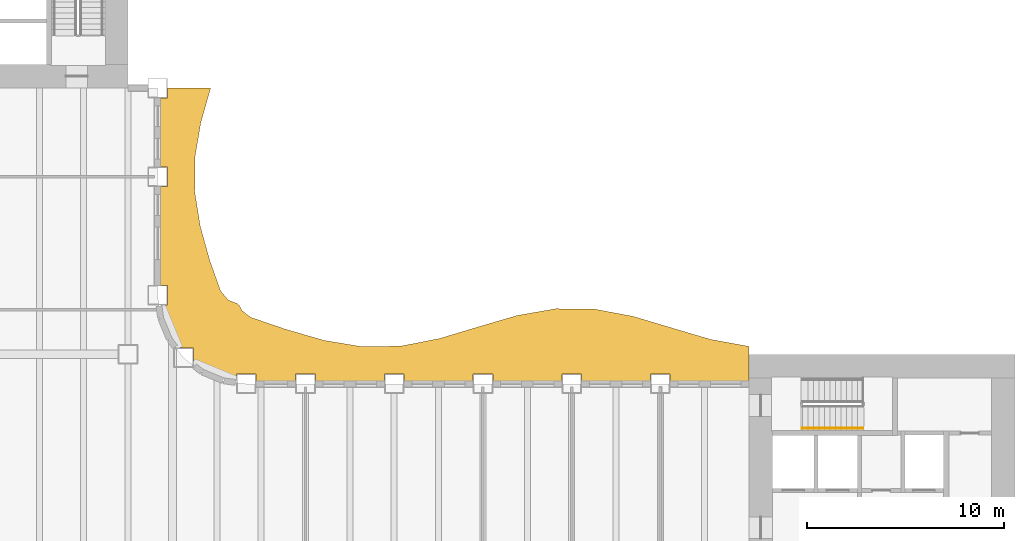
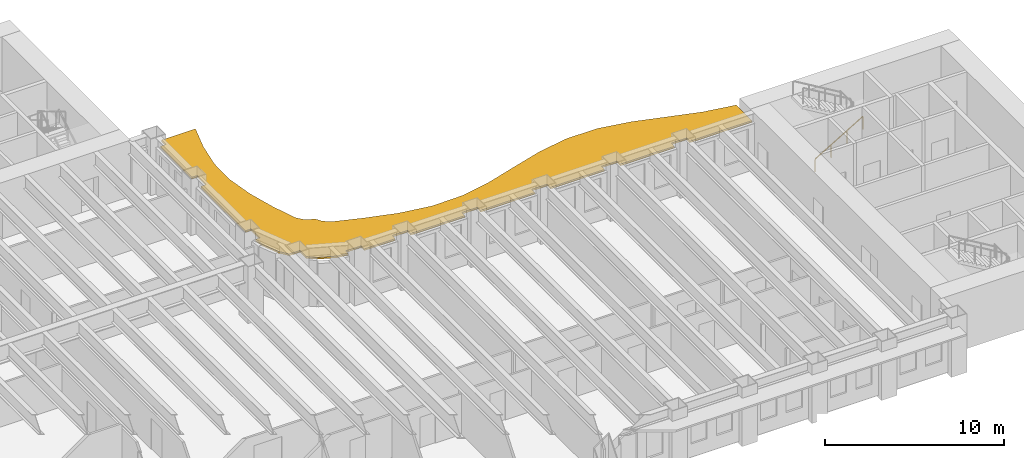
# One storey, part 14 of 16: 1 railing, 1 shading device.
"""IFC4 building model written with IfcOpenShell, lengths in metres."""

from ifc_helpers import new_model, si_unit, direction, frame, origin, origin_2d, place, context, subcontext, project, spatial, polyline, rectangle, outline, extrude, material, layer, layer_set, type_object, element, save


model = new_model("IFC4")

# Units and contexts
model_context = context("Model", 3, precision=1e-05, world=origin(), true_north=direction((0.0, 1.0)))
body_context = subcontext(model_context, "Body", "Model", "MODEL_VIEW")
ifc_project = project(units=[si_unit("LENGTHUNIT", "METRE"), si_unit("AREAUNIT", "SQUARE_METRE"), si_unit("VOLUMEUNIT", "CUBIC_METRE"), si_unit("PLANEANGLEUNIT", "RADIAN"), si_unit("MASSUNIT", "GRAM", prefix="KILO")], contexts=[model_context])

# Site, building, storey
site_placement = place(None, origin())
site = spatial("IfcSite", under=ifc_project, at=site_placement, CompositionType="ELEMENT")
building_placement = place(site_placement, origin())
building = spatial("IfcBuilding", under=site, at=building_placement, Name="Sennacour Bend Tower", CompositionType="ELEMENT")
storey_placement = place(building_placement, frame((0.0, 0.0, 107.0)))
storey = spatial("IfcBuildingStorey", under=building, at=storey_placement, Name="L24", CompositionType="ELEMENT", Elevation=107.0)

# Railing
ifc_material_1 = material(Name="Stainless steel", Category="steel")
railing_type = type_object("IfcRailingType", Name="RL-HANDRAIL-900", PredefinedType="HANDRAIL", material=ifc_material_1)
railing_placement = place(storey_placement, frame((56.699951171875, 18.75, 0.166748046875)))
element("IfcRailing", 1, at=railing_placement, inside=storey, type_object=railing_type, Name="L24 SA2 stair handrail 1", PredefinedType="HANDRAIL", context=body_context, shape_type="SweptSolid", body=[
    extrude(rectangle(XDim=0.048095703125, YDim=0.048095703125, at=origin_2d()), frame((0.0, 0.0, 0.8759765625), z_axis=(0.859308565015, 0.0, 0.511457515432), x_axis=(0.0, 1.0, 0.0)), (0.0, 0.0, 1.0), 3.58447265625),
    extrude(rectangle(XDim=0.0419921875, YDim=0.0419921875, at=origin_2d()), origin(), (0.0, 0.0, 1.0), 0.851806640625),
    extrude(rectangle(XDim=0.0419921875, YDim=0.0419921875, at=origin_2d()), frame((1.026611328125, 0.0, 0.611083984375)), (0.0, 0.0, 1.0), 0.851806640625),
    extrude(rectangle(XDim=0.0419921875, YDim=0.0419921875, at=origin_2d()), frame((2.053466796875, 0.0, 1.22216796875)), (0.0, 0.0, 1.0), 0.851806640625),
    extrude(rectangle(XDim=0.0419921875, YDim=0.0419921875, at=origin_2d()), frame((3.080078125, 0.0, 1.833251953125)), (0.0, 0.0, 1.0), 0.851806640625),
])

# Shading device
ifc_material_2 = material(Name="Bronze anodised aluminium", Category="aluminium")
ifc_layer = layer(ifc_material_2, 0.1201171875, Name="Bronze anodised aluminium", Category="aluminium")
ifc_layer_set = layer_set([ifc_layer], Name="Bronze anodised aluminium")
shading_device_type = type_object("IfcShadingDeviceType", Name="SUNSHADE BAND WAVE", PredefinedType="USERDEFINED", material=ifc_layer_set)
shading_device_placement = place(storey_placement, frame((0.0, 0.0, 3.033935546875)))
element("IfcShadingDevice", 2, at=shading_device_placement, inside=storey, type_object=shading_device_type, Name="Sunshade band L24 concave faces", ObjectType="SUNSHADE", PredefinedType="USERDEFINED", context=body_context, shape_type="SweptSolid", body=[
    extrude(outline(polyline([(54.0, 21.14990234375), (50.0, 21.14990234375), (50.0, 21.5), (49.0, 21.5), (49.0, 21.14990234375), (45.5, 21.14990234375), (45.5, 21.5), (44.5, 21.5), (44.5, 21.14990234375), (41.0, 21.14990234375), (41.0, 21.5), (40.0, 21.5), (40.0, 21.14990234375), (36.5, 21.14990234375), (36.5, 21.5), (35.5, 21.5), (35.5, 21.14990234375), (32.0, 21.14990234375), (32.0, 21.5), (31.0, 21.5), (31.0, 21.14990234375), (29.0, 21.14990234375), (29.0, 21.5), (28.0, 21.5), (28.0, 21.217041015625), (27.37451171875, 21.299560546875), (26.32568359375, 21.73388671875), (25.818115234375, 22.123291015625), (25.818115234375, 22.818115234375), (25.123291015625, 22.818115234375), (24.73388671875, 23.32568359375), (24.299560546875, 24.37451171875), (24.217041015625, 25.0), (24.5, 25.0), (24.5, 26.0), (24.14990234375, 26.0), (24.14990234375, 31.0), (24.5, 31.0), (24.5, 32.0), (24.14990234375, 32.0), (24.14990234375, 35.5), (24.5, 35.5), (24.5, 36.0), (26.6884765625, 36.0), (26.1923828125, 34.25), (25.89404296875, 32.5), (25.883056640625, 30.75), (26.16259765625, 29.0), (26.648681640625, 27.25), (27.195556640625, 25.70947265625), (27.576416015625, 25.25244140625), (28.060302734375, 25.060302734375), (28.1728515625, 24.93359375), (28.287841796875, 24.7080078125), (28.72119140625, 24.37451171875), (30.46142578125, 23.77978515625), (32.423095703125, 23.211181640625), (34.384521484375, 22.882568359375), (36.34619140625, 22.91650390625), (38.3076171875, 23.30078125), (40.269287109375, 23.89111328125), (42.230712890625, 24.4658203125), (44.1923828125, 24.809814453125), (46.15380859375, 24.793701171875), (48.115478515625, 24.423583984375), (50.076904296875, 23.83837890625), (52.03857421875, 23.257568359375), (54.0, 22.89892578125), (54.0, 21.14990234375)])), origin(), (0.0, 0.0, 1.0), 0.1201171875),
])

save(model, "model.ifc")
